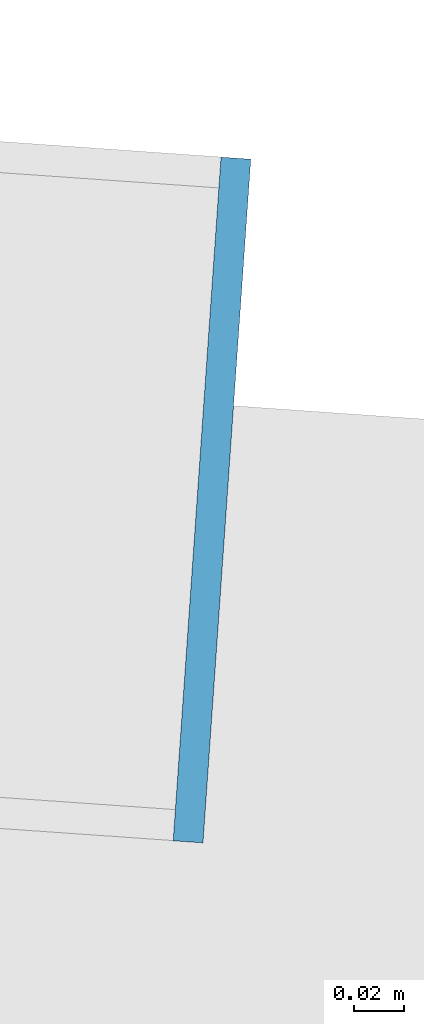
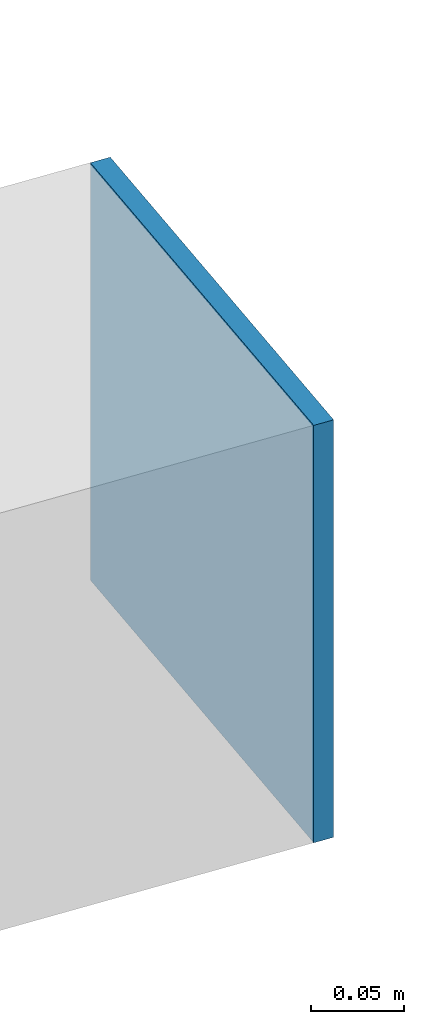
# One storey, part 37 of 47: 1 plate.
"""IFC4 building model written with IfcOpenShell, lengths in metres."""

from ifc_helpers import new_model, si_unit, direction, frame, origin, origin_2d, place, context, subcontext, project, spatial, rectangle, extrude, source, transform, mapped, material, layer, layer_set, type_object, element, save


model = new_model("IFC4")

# Units and contexts
model_context = context("Model", 3, precision=1e-05, world=origin(), true_north=direction((0.0, 1.0)))
body_context = subcontext(model_context, "Body", "Model", "MODEL_VIEW")
ifc_project = project(units=[si_unit("LENGTHUNIT", "METRE"), si_unit("AREAUNIT", "SQUARE_METRE"), si_unit("VOLUMEUNIT", "CUBIC_METRE"), si_unit("PLANEANGLEUNIT", "RADIAN"), si_unit("MASSUNIT", "GRAM", prefix="KILO")], contexts=[model_context])

# Site, building, storey
site_placement = place(None, origin())
site = spatial("IfcSite", under=ifc_project, at=site_placement, CompositionType="ELEMENT")
building_placement = place(site_placement, origin())
building = spatial("IfcBuilding", under=site, at=building_placement, Name="Taldren Reach Tower", CompositionType="ELEMENT")
storey_placement = place(building_placement, frame((0.0, 0.0, 139.300048828125)))
storey = spatial("IfcBuildingStorey", under=building, at=storey_placement, Name="L42", CompositionType="ELEMENT", Elevation=139.300048828125)

# Plate
ifc_material = material(Name="Steel Gr 450 (C450L0)", Category="steel")
ifc_layer = layer(ifc_material, 0.011962890625)
ifc_layer_set = layer_set([ifc_layer], Name="Steel Gr 450 (C450L0)")
plate_type = type_object("IfcPlateType", Name="PL-CAP-275", PredefinedType="SHEET", material=ifc_layer_set)
shared_shape = source(origin(), body_context, "Body", "SweptSolid", [
    extrude(rectangle(XDim=0.011962890625, YDim=0.27490234375, at=origin_2d()), origin(), (0.0, 0.0, 1.0), 0.27490234375),
])
plate_placement = place(storey_placement, frame((62.88330078125, 30.991943359375, 2.512451171875), z_axis=(0.0, 0.0, 1.0), x_axis=(0.99756405026, -0.069756473744, 0.0)))
element("IfcPlate", 1, at=plate_placement, inside=storey, type_object=plate_type, Name="Tie strut end cap plate B3-E3 L42", PredefinedType="SHEET", context=body_context, shape_type="MappedRepresentation", body=[
    mapped(shared_shape, transform((0.0, 0.0, 0.0), scale=1.0)),
])

save(model, "model.ifc")
